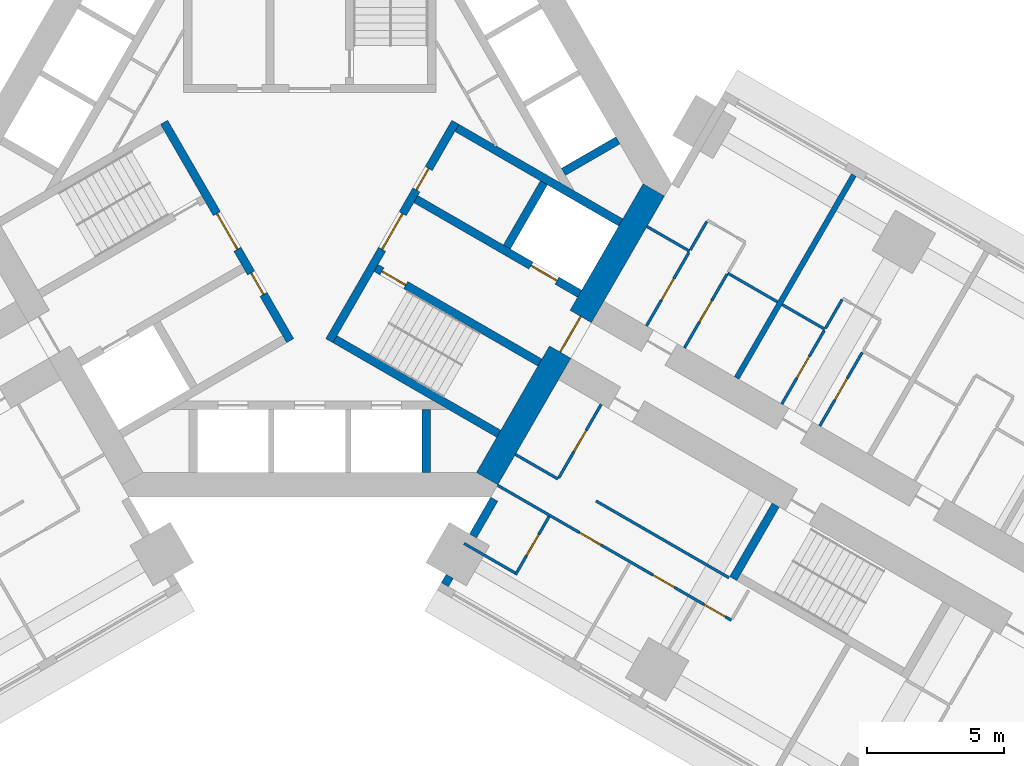
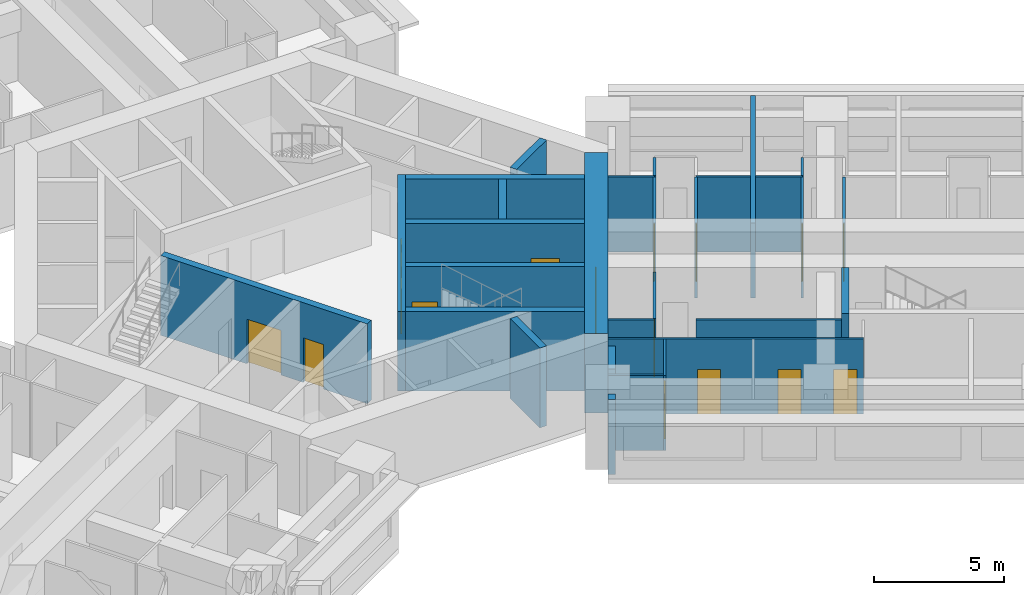
# One storey, part 7 of 16: 29 walls, 16 doors, 16 openings.
"""IFC4 building model written with IfcOpenShell, lengths in metres."""

from ifc_helpers import new_model, si_unit, direction, frame, frame_2d, origin, place, context, subcontext, project, spatial, rectangle, extrude, material, layer, layer_set, type_object, element, fill, save


model = new_model("IFC4")

# Units and contexts
model_context = context("Model", 3, precision=1e-05, world=origin(), true_north=direction((0.0, 1.0)))
body_context = subcontext(model_context, "Body", "Model", "MODEL_VIEW")
ifc_project = project(units=[si_unit("LENGTHUNIT", "METRE"), si_unit("AREAUNIT", "SQUARE_METRE"), si_unit("VOLUMEUNIT", "CUBIC_METRE"), si_unit("PLANEANGLEUNIT", "RADIAN"), si_unit("MASSUNIT", "GRAM", prefix="KILO")], contexts=[model_context])

# Site, building, storey
site_placement = place(None, origin())
site = spatial("IfcSite", under=ifc_project, at=site_placement, CompositionType="ELEMENT")
building_placement = place(site_placement, origin())
building = spatial("IfcBuilding", under=site, at=building_placement, Name="Impinga Residences", CompositionType="ELEMENT")
storey_placement = place(building_placement, frame((0.0, 0.0, 37.25)))
storey = spatial("IfcBuildingStorey", under=building, at=storey_placement, Name="L08", CompositionType="ELEMENT", Elevation=37.25)

# Walls
ifc_material_1 = material(Name="Terracotta rainscreen on blockwork", Category="masonry")
ifc_layer_1 = layer(ifc_material_1, 0.300048828125)
ifc_layer_set_1 = layer_set([ifc_layer_1], Name="EW1 external wall, terracotta rainscreen on blockwork 300")
wall_type_1 = type_object("IfcWallType", Name="EW1 external wall, terracotta rainscreen on blockwork 300", PredefinedType="SOLIDWALL", material=ifc_layer_set_1)
wall_1_placement = place(storey_placement, frame((4.929931640625, -14.624267578125, 0.0), z_axis=(0.0, 0.0, 1.0), x_axis=(0.49996389635, 0.866046247233, 0.0)))
element("IfcWall", 1, at=wall_1_placement, inside=storey, type_object=wall_type_1, Name="External wall EW1 L08", PredefinedType="SOLIDWALL", context=body_context, shape_type="SweptSolid", body=[
    extrude(rectangle(XDim=0.35009765625, YDim=0.300048828125, at=frame_2d((0.175048828125, 0.0))), origin(), (0.0, 0.0, 1.0), 3.530029296875),
])
wall_2_placement = place(storey_placement, frame((5.954833984375, -12.848876953125, 0.0), z_axis=(0.0, 0.0, 1.0), x_axis=(0.500086022567, 0.865975732936, 0.0)))
element("IfcWall", 2, at=wall_2_placement, inside=storey, type_object=wall_type_1, Name="External wall EW1 L08", PredefinedType="SOLIDWALL", context=body_context, shape_type="SweptSolid", body=[
    extrude(rectangle(XDim=1.550048828125, YDim=0.300048828125, at=frame_2d((0.77490234375, 0.0))), origin(), (0.0, 0.0, 1.0), 3.530029296875),
])
ifc_material_2 = material(Name="Gypsum board on steel studs", Category="steel")
ifc_layer_2 = layer(ifc_material_2, 0.10009765625)
ifc_layer_set_2 = layer_set([ifc_layer_2], Name="Gypsum board on steel studs")
wall_type_2 = type_object("IfcWallType", Name="IP1 partition 100", PredefinedType="PARTITIONING", material=ifc_layer_set_2)
wall_3_placement = place(storey_placement, frame((12.300048828125, -1.558837890625, 0.0), z_axis=(0.0, 0.0, 1.0), x_axis=(0.866047807691, -0.499961193289, 0.0)))
element("IfcWall", 3, at=wall_3_placement, inside=storey, type_object=wall_type_2, Name="Partition L08-EA1:DIV0", PredefinedType="PARTITIONING", context=body_context, shape_type="SweptSolid", body=[
    extrude(rectangle(XDim=1.800048828125, YDim=0.10009765625, at=frame_2d((0.89990234375, 0.0))), origin(), (0.0, 0.0, 1.0), 3.530029296875),
])
wall_4_placement = place(storey_placement, frame((15.244384765625, -3.2587890625, 0.0), z_axis=(0.0, 0.0, 1.0), x_axis=(0.866038466041, -0.499977374825, 0.0)))
element("IfcWall", 4, at=wall_4_placement, inside=storey, type_object=wall_type_2, Name="Partition L08-EA1:DIV1", PredefinedType="PARTITIONING", context=body_context, shape_type="SweptSolid", body=[
    extrude(rectangle(XDim=2.10009765625, YDim=0.10009765625, at=frame_2d((1.050048828125, 0.0))), origin(), (0.0, 0.0, 1.0), 3.530029296875),
])
wall_5_placement = place(storey_placement, frame((13.8837890625, -2.41552734375, 0.0), z_axis=(0.0, 0.0, 1.0), x_axis=(0.500033551112, 0.866006032174, 0.0)))
element("IfcWall", 5, at=wall_5_placement, inside=storey, type_object=wall_type_2, Name="Partition L08-EA1:SE0", PredefinedType="PARTITIONING", context=body_context, shape_type="SweptSolid", body=[
    extrude(rectangle(XDim=1.2001953125, YDim=0.10009765625, at=frame_2d((0.60009765625, 0.0))), origin(), (0.0, 0.0, 1.0), 3.530029296875),
])

# Wall, opening, door
wall_6_placement = place(storey_placement, frame((12.283935546875, -5.186767578125, 0.0), z_axis=(0.0, 0.0, 1.0), x_axis=(0.499967891604, 0.866043940782, 0.0)))
wall_6 = element("IfcWall", 6, at=wall_6_placement, inside=storey, type_object=wall_type_2, Name="Partition L08-EA1:IB1", PredefinedType="PARTITIONING", context=body_context, shape_type="SweptSolid", body=[
    extrude(rectangle(XDim=3.099853515625, YDim=0.10009765625, at=frame_2d((1.5498046875, 0.0))), origin(), (0.0, 0.0, 1.0), 3.530029296875),
])
opening_1_placement = place(wall_6_placement, frame((1.10009765625, 0.0, 0.0)))
opening_1 = element("IfcOpeningElement", 7, at=opening_1_placement, cuts=wall_6, Name="Opening D2", PredefinedType="OPENING", context=body_context, shape_type="SweptSolid", body=[
    extrude(rectangle(XDim=0.89990234375, YDim=2.10009765625, at=frame_2d((0.449951171875, 1.050048828125))), frame((0.0, 0.06005859375, 0.0), z_axis=(0.0, -1.0, 0.0), x_axis=(1.0, 0.0, 0.0)), (0.0, 0.0, 1.0), 0.1201171875),
])
ifc_material_3 = material(Name="Timber door set", Category="wood")
door_type_1 = type_object("IfcDoorType", Name="D2 internal door 900x2100", OperationType="SINGLE_SWING_LEFT", PredefinedType="DOOR", material=ifc_material_3)
door_1_placement = place(opening_1_placement, origin())
door_1 = element("IfcDoor", 8, at=door_1_placement, inside=storey, type_object=door_type_1, Name="Apartment L08-EA1 bathroom door", OperationType="SINGLE_SWING_LEFT", OverallHeight=2.10009765625, OverallWidth=0.89990234375, PredefinedType="DOOR", context=body_context, shape_type="SweptSolid", body=[
    extrude(rectangle(XDim=0.89990234375, YDim=2.10009765625, at=frame_2d((0.449951171875, 1.050048828125))), frame((0.0, 0.02490234375, 0.0), z_axis=(0.0, -1.0, 0.0), x_axis=(1.0, 0.0, 0.0)), (0.0, 0.0, 1.0), 0.050048828125),
])
fill(opening_1, door_1)

wall_7_placement = place(storey_placement, frame((13.66943359375, -5.98681640625, 0.0), z_axis=(0.0, 0.0, 1.0), x_axis=(0.500026960575, 0.86600983753, 0.0)))
wall_7 = element("IfcWall", 9, at=wall_7_placement, inside=storey, type_object=wall_type_2, Name="Partition L08-EA1:IB2", PredefinedType="PARTITIONING", context=body_context, shape_type="SweptSolid", body=[
    extrude(rectangle(XDim=3.099853515625, YDim=0.10009765625, at=frame_2d((1.5498046875, 0.0))), origin(), (0.0, 0.0, 1.0), 3.530029296875),
])
opening_2_placement = place(wall_7_placement, frame((1.10009765625, 0.0, 0.0)))
opening_2 = element("IfcOpeningElement", 10, at=opening_2_placement, cuts=wall_7, Name="Opening D2", PredefinedType="OPENING", context=body_context, shape_type="SweptSolid", body=[
    extrude(rectangle(XDim=0.89990234375, YDim=2.10009765625, at=frame_2d((0.449951171875, 1.050048828125))), frame((0.0, 0.06005859375, 0.0), z_axis=(0.0, -1.0, 0.0), x_axis=(1.0, 0.0, 0.0)), (0.0, 0.0, 1.0), 0.1201171875),
])
door_2_placement = place(opening_2_placement, origin())
door_2 = element("IfcDoor", 11, at=door_2_placement, inside=storey, type_object=door_type_1, Name="Apartment L08-EA1 WC door", OperationType="SINGLE_SWING_LEFT", OverallHeight=2.10009765625, OverallWidth=0.89990234375, PredefinedType="DOOR", context=body_context, shape_type="SweptSolid", body=[
    extrude(rectangle(XDim=0.89990234375, YDim=2.10009765625, at=frame_2d((0.449951171875, 1.050048828125))), frame((0.0, 0.02490234375, 0.0), z_axis=(0.0, -1.0, 0.0), x_axis=(1.0, 0.0, 0.0)), (0.0, 0.0, 1.0), 0.050048828125),
])
fill(opening_2, door_2)

# Walls
wall_8_placement = place(storey_placement, frame((17.236328125, -4.408935546875, 0.0), z_axis=(0.0, 0.0, 1.0), x_axis=(0.866047807691, -0.499961193289, 0.0)))
element("IfcWall", 12, at=wall_8_placement, inside=storey, type_object=wall_type_2, Name="Partition L08-EA2:DIV0", PredefinedType="PARTITIONING", context=body_context, shape_type="SweptSolid", body=[
    extrude(rectangle(XDim=1.800048828125, YDim=0.10009765625, at=frame_2d((0.89990234375, 0.0))), origin(), (0.0, 0.0, 1.0), 3.530029296875),
])
wall_9_placement = place(storey_placement, frame((18.8203125, -5.265625, 0.0), z_axis=(0.0, 0.0, 1.0), x_axis=(0.499880961361, 0.866094119867, 0.0)))
element("IfcWall", 13, at=wall_9_placement, inside=storey, type_object=wall_type_2, Name="Partition L08-EA2:SE0", PredefinedType="PARTITIONING", context=body_context, shape_type="SweptSolid", body=[
    extrude(rectangle(XDim=1.199951171875, YDim=0.10009765625, at=frame_2d((0.60009765625, 0.0))), origin(), (0.0, 0.0, 1.0), 3.530029296875),
])

# Wall, opening, door
wall_10_placement = place(storey_placement, frame((17.22021484375, -8.036865234375, 0.0), z_axis=(0.0, 0.0, 1.0), x_axis=(0.49999285859, 0.86602952684, 0.0)))
wall_10 = element("IfcWall", 14, at=wall_10_placement, inside=storey, type_object=wall_type_2, Name="Partition L08-EA2:IB1", PredefinedType="PARTITIONING", context=body_context, shape_type="SweptSolid", body=[
    extrude(rectangle(XDim=3.10009765625, YDim=0.10009765625, at=frame_2d((1.550048828125, 0.0))), origin(), (0.0, 0.0, 1.0), 3.530029296875),
])
opening_3_placement = place(wall_10_placement, frame((1.10009765625, 0.0, 0.0)))
opening_3 = element("IfcOpeningElement", 15, at=opening_3_placement, cuts=wall_10, Name="Opening D2", PredefinedType="OPENING", context=body_context, shape_type="SweptSolid", body=[
    extrude(rectangle(XDim=0.89990234375, YDim=2.10009765625, at=frame_2d((0.449951171875, 1.050048828125))), frame((0.0, 0.06005859375, 0.0), z_axis=(0.0, -1.0, 0.0), x_axis=(1.0, 0.0, 0.0)), (0.0, 0.0, 1.0), 0.1201171875),
])
door_3_placement = place(opening_3_placement, origin())
door_3 = element("IfcDoor", 16, at=door_3_placement, inside=storey, type_object=door_type_1, Name="Apartment L08-EA2 bathroom door", OperationType="SINGLE_SWING_LEFT", OverallHeight=2.10009765625, OverallWidth=0.89990234375, PredefinedType="DOOR", context=body_context, shape_type="SweptSolid", body=[
    extrude(rectangle(XDim=0.89990234375, YDim=2.10009765625, at=frame_2d((0.449951171875, 1.050048828125))), frame((0.0, 0.02490234375, 0.0), z_axis=(0.0, -1.0, 0.0), x_axis=(1.0, 0.0, 0.0)), (0.0, 0.0, 1.0), 0.050048828125),
])
fill(opening_3, door_3)

wall_11_placement = place(storey_placement, frame((18.605712890625, -8.8369140625, 0.0), z_axis=(0.0, 0.0, 1.0), x_axis=(0.49999285859, 0.86602952684, 0.0)))
wall_11 = element("IfcWall", 17, at=wall_11_placement, inside=storey, type_object=wall_type_2, Name="Partition L08-EA2:IB2", PredefinedType="PARTITIONING", context=body_context, shape_type="SweptSolid", body=[
    extrude(rectangle(XDim=3.10009765625, YDim=0.10009765625, at=frame_2d((1.550048828125, 0.0))), origin(), (0.0, 0.0, 1.0), 3.530029296875),
])
opening_4_placement = place(wall_11_placement, frame((1.10009765625, 0.0, 0.0)))
opening_4 = element("IfcOpeningElement", 18, at=opening_4_placement, cuts=wall_11, Name="Opening D2", PredefinedType="OPENING", context=body_context, shape_type="SweptSolid", body=[
    extrude(rectangle(XDim=0.89990234375, YDim=2.10009765625, at=frame_2d((0.449951171875, 1.050048828125))), frame((0.0, 0.06005859375, 0.0), z_axis=(0.0, -1.0, 0.0), x_axis=(1.0, 0.0, 0.0)), (0.0, 0.0, 1.0), 0.1201171875),
])
door_4_placement = place(opening_4_placement, origin())
door_4 = element("IfcDoor", 19, at=door_4_placement, inside=storey, type_object=door_type_1, Name="Apartment L08-EA2 WC door", OperationType="SINGLE_SWING_LEFT", OverallHeight=2.10009765625, OverallWidth=0.89990234375, PredefinedType="DOOR", context=body_context, shape_type="SweptSolid", body=[
    extrude(rectangle(XDim=0.89990234375, YDim=2.10009765625, at=frame_2d((0.449951171875, 1.050048828125))), frame((0.0, 0.02490234375, 0.0), z_axis=(0.0, -1.0, 0.0), x_axis=(1.0, 0.0, 0.0)), (0.0, 0.0, 1.0), 0.050048828125),
])
fill(opening_4, door_4)

# Walls
wall_12_placement = place(storey_placement, frame((7.5, -9.872802734375, 0.0), z_axis=(0.0, 0.0, 1.0), x_axis=(0.866047807691, -0.499961193289, 0.0)))
element("IfcWall", 20, at=wall_12_placement, inside=storey, type_object=wall_type_2, Name="Partition L08-EF1:DIV0", PredefinedType="PARTITIONING", context=body_context, shape_type="SweptSolid", body=[
    extrude(rectangle(XDim=1.800048828125, YDim=0.10009765625, at=frame_2d((0.89990234375, 0.0))), origin(), (0.0, 0.0, 1.0), 3.530029296875),
])
wall_13_placement = place(storey_placement, frame((10.444580078125, -11.57275390625, 0.0), z_axis=(0.0, 0.0, 1.0), x_axis=(0.866015695474, -0.500016814911, 0.0)))
element("IfcWall", 21, at=wall_13_placement, inside=storey, type_object=wall_type_2, Name="Partition L08-EF1:DIV1", PredefinedType="PARTITIONING", context=body_context, shape_type="SweptSolid", body=[
    extrude(rectangle(XDim=5.599853515625, YDim=0.10009765625, at=frame_2d((2.7998046875, 0.0))), origin(), (0.0, 0.0, 1.0), 3.530029296875),
])

# Wall, openings, doors
wall_14_placement = place(storey_placement, frame((6.85009765625, -10.99853515625, 0.0), z_axis=(0.0, 0.0, 1.0), x_axis=(0.866021308241, -0.500007093622, 0.0)))
wall_14 = element("IfcWall", 22, at=wall_14_placement, inside=storey, type_object=wall_type_2, Name="Partition L08-EF1:STRIP", PredefinedType="PARTITIONING", context=body_context, shape_type="SweptSolid", body=[
    extrude(rectangle(XDim=9.849853515625, YDim=0.10009765625, at=frame_2d((4.9248046875, 0.0))), origin(), (0.0, 0.0, 1.0), 3.530029296875),
])
opening_5_placement = place(wall_14_placement, frame((3.449951171875, 0.0, 0.0)))
opening_5 = element("IfcOpeningElement", 23, at=opening_5_placement, cuts=wall_14, Name="Opening D2", PredefinedType="OPENING", context=body_context, shape_type="SweptSolid", body=[
    extrude(rectangle(XDim=0.89990234375, YDim=2.10009765625, at=frame_2d((0.449951171875, 1.050048828125))), frame((0.0, 0.06005859375, 0.0), z_axis=(0.0, -1.0, 0.0), x_axis=(1.0, 0.0, 0.0)), (0.0, 0.0, 1.0), 0.1201171875),
])
opening_6_placement = place(wall_14_placement, frame((6.550048828125, 0.0, 0.0)))
opening_6 = element("IfcOpeningElement", 24, at=opening_6_placement, cuts=wall_14, Name="Opening D2", PredefinedType="OPENING", context=body_context, shape_type="SweptSolid", body=[
    extrude(rectangle(XDim=0.89990234375, YDim=2.10009765625, at=frame_2d((0.449951171875, 1.050048828125))), frame((0.0, 0.06005859375, 0.0), z_axis=(0.0, -1.0, 0.0), x_axis=(1.0, 0.0, 0.0)), (0.0, 0.0, 1.0), 0.1201171875),
])
opening_7_placement = place(wall_14_placement, frame((8.699951171875, 0.0, 0.0)))
opening_7 = element("IfcOpeningElement", 25, at=opening_7_placement, cuts=wall_14, Name="Opening D2", PredefinedType="OPENING", context=body_context, shape_type="SweptSolid", body=[
    extrude(rectangle(XDim=0.89990234375, YDim=2.10009765625, at=frame_2d((0.449951171875, 1.050048828125))), frame((0.0, 0.06005859375, 0.0), z_axis=(0.0, -1.0, 0.0), x_axis=(1.0, 0.0, 0.0)), (0.0, 0.0, 1.0), 0.1201171875),
])
door_5_placement = place(opening_5_placement, origin())
door_5 = element("IfcDoor", 26, at=door_5_placement, inside=storey, type_object=door_type_1, Name="Apartment L08-EF1 room door", OperationType="SINGLE_SWING_LEFT", OverallHeight=2.10009765625, OverallWidth=0.89990234375, PredefinedType="DOOR", context=body_context, shape_type="SweptSolid", body=[
    extrude(rectangle(XDim=0.89990234375, YDim=2.10009765625, at=frame_2d((0.449951171875, 1.050048828125))), frame((0.0, 0.02490234375, 0.0), z_axis=(0.0, -1.0, 0.0), x_axis=(1.0, 0.0, 0.0)), (0.0, 0.0, 1.0), 0.050048828125),
])
fill(opening_5, door_5)
door_6_placement = place(opening_6_placement, origin())
door_6 = element("IfcDoor", 27, at=door_6_placement, inside=storey, type_object=door_type_1, Name="Apartment L08-EF1 room door", OperationType="SINGLE_SWING_RIGHT", OverallHeight=2.10009765625, OverallWidth=0.89990234375, PredefinedType="DOOR", context=body_context, shape_type="SweptSolid", body=[
    extrude(rectangle(XDim=0.89990234375, YDim=2.10009765625, at=frame_2d((0.449951171875, 1.050048828125))), frame((0.0, 0.02490234375, 0.0), z_axis=(0.0, -1.0, 0.0), x_axis=(1.0, 0.0, 0.0)), (0.0, 0.0, 1.0), 0.050048828125),
])
fill(opening_6, door_6)
door_7_placement = place(opening_7_placement, origin())
door_7 = element("IfcDoor", 28, at=door_7_placement, inside=storey, type_object=door_type_1, Name="Apartment L08-EF1 room door", OperationType="SINGLE_SWING_RIGHT", OverallHeight=2.10009765625, OverallWidth=0.89990234375, PredefinedType="DOOR", context=body_context, shape_type="SweptSolid", body=[
    extrude(rectangle(XDim=0.89990234375, YDim=2.10009765625, at=frame_2d((0.449951171875, 1.050048828125))), frame((0.0, 0.02490234375, 0.0), z_axis=(0.0, -1.0, 0.0), x_axis=(1.0, 0.0, 0.0)), (0.0, 0.0, 1.0), 0.050048828125),
])
fill(opening_7, door_7)

# Wall, opening, door
wall_15_placement = place(storey_placement, frame((10.6337890625, -8.044677734375, 0.0), z_axis=(0.0, 0.0, 1.0), x_axis=(-0.49999285859, -0.86602952684, 0.0)))
wall_15 = element("IfcWall", 29, at=wall_15_placement, inside=storey, type_object=wall_type_2, Name="Partition L08-EF1:IB1", PredefinedType="PARTITIONING", context=body_context, shape_type="SweptSolid", body=[
    extrude(rectangle(XDim=3.10009765625, YDim=0.10009765625, at=frame_2d((1.550048828125, 0.0))), origin(), (0.0, 0.0, 1.0), 3.530029296875),
])
opening_8_placement = place(wall_15_placement, frame((1.10009765625, 0.0, 0.0)))
opening_8 = element("IfcOpeningElement", 30, at=opening_8_placement, cuts=wall_15, Name="Opening D2", PredefinedType="OPENING", context=body_context, shape_type="SweptSolid", body=[
    extrude(rectangle(XDim=0.89990234375, YDim=2.10009765625, at=frame_2d((0.449951171875, 1.050048828125))), frame((0.0, 0.06005859375, 0.0), z_axis=(0.0, -1.0, 0.0), x_axis=(1.0, 0.0, 0.0)), (0.0, 0.0, 1.0), 0.1201171875),
])
door_8_placement = place(opening_8_placement, origin())
door_8 = element("IfcDoor", 31, at=door_8_placement, inside=storey, type_object=door_type_1, Name="Apartment L08-EF1 bathroom door", OperationType="SINGLE_SWING_LEFT", OverallHeight=2.10009765625, OverallWidth=0.89990234375, PredefinedType="DOOR", context=body_context, shape_type="SweptSolid", body=[
    extrude(rectangle(XDim=0.89990234375, YDim=2.10009765625, at=frame_2d((0.449951171875, 1.050048828125))), frame((0.0, 0.02490234375, 0.0), z_axis=(0.0, -1.0, 0.0), x_axis=(1.0, 0.0, 0.0)), (0.0, 0.0, 1.0), 0.050048828125),
])
fill(opening_8, door_8)

wall_16_placement = place(storey_placement, frame((8.730224609375, -12.141845703125, 0.0), z_axis=(0.0, 0.0, 1.0), x_axis=(-0.499943856944, -0.866057815567, 0.0)))
wall_16 = element("IfcWall", 32, at=wall_16_placement, inside=storey, type_object=wall_type_2, Name="Partition L08-EF1:EN1", PredefinedType="PARTITIONING", context=body_context, shape_type="SweptSolid", body=[
    extrude(rectangle(XDim=2.449951171875, YDim=0.10009765625, at=frame_2d((1.22509765625, 0.0))), origin(), (0.0, 0.0, 1.0), 3.530029296875),
])
opening_9_placement = place(wall_16_placement, frame((0.75, 0.0, 0.0)))
opening_9 = element("IfcOpeningElement", 33, at=opening_9_placement, cuts=wall_16, Name="Opening D2", PredefinedType="OPENING", context=body_context, shape_type="SweptSolid", body=[
    extrude(rectangle(XDim=0.89990234375, YDim=2.10009765625, at=frame_2d((0.449951171875, 1.050048828125))), frame((0.0, 0.06005859375, 0.0), z_axis=(0.0, -1.0, 0.0), x_axis=(1.0, 0.0, 0.0)), (0.0, 0.0, 1.0), 0.1201171875),
])
door_9_placement = place(opening_9_placement, origin())
door_9 = element("IfcDoor", 34, at=door_9_placement, inside=storey, type_object=door_type_1, Name="Apartment L08-EF1 en-suite door", OperationType="SINGLE_SWING_LEFT", OverallHeight=2.10009765625, OverallWidth=0.89990234375, PredefinedType="DOOR", context=body_context, shape_type="SweptSolid", body=[
    extrude(rectangle(XDim=0.89990234375, YDim=2.10009765625, at=frame_2d((0.449951171875, 1.050048828125))), frame((0.0, 0.02490234375, 0.0), z_axis=(0.0, -1.0, 0.0), x_axis=(1.0, 0.0, 0.0)), (0.0, 0.0, 1.0), 0.050048828125),
])
fill(opening_9, door_9)

# Walls
wall_17_placement = place(storey_placement, frame((5.625, -13.120361328125, 0.0), z_axis=(0.0, 0.0, 1.0), x_axis=(0.866047553582, -0.499961633463, 0.0)))
element("IfcWall", 35, at=wall_17_placement, inside=storey, type_object=wall_type_2, Name="Partition L08-EF1:EN2", PredefinedType="PARTITIONING", context=body_context, shape_type="SweptSolid", body=[
    extrude(rectangle(XDim=2.150146484375, YDim=0.10009765625, at=frame_2d((1.0751953125, 0.0))), origin(), (0.0, 0.0, 1.0), 3.530029296875),
])
ifc_material_4 = material(Name="Concrete blockwork", Category="masonry")
ifc_layer_3 = layer(ifc_material_4, 0.199951171875)
ifc_layer_set_3 = layer_set([ifc_layer_3], Name="PW1 party wall between apartments 200")
wall_type_3 = type_object("IfcWallType", Name="PW1 party wall between apartments 200", PredefinedType="SOLIDWALL", material=ifc_layer_set_3)
wall_18_placement = place(storey_placement, frame((15.57470703125, -7.0869140625, 0.0), z_axis=(0.0, 0.0, 1.0), x_axis=(0.500011643316, 0.866018681408, 0.0)))
element("IfcWall", 36, at=wall_18_placement, inside=storey, type_object=wall_type_3, Name="Party wall between apartments L08-EA1:PARTY", PredefinedType="SOLIDWALL", context=body_context, shape_type="SweptSolid", body=[
    extrude(rectangle(XDim=8.550048828125, YDim=0.199951171875, at=frame_2d((4.27490234375, 0.0))), origin(), (0.0, 0.0, 1.0), 3.530029296875),
])
ifc_material_5 = material(Name="Concrete C60/75", Category="concrete")
ifc_layer_4 = layer(ifc_material_5, 0.300048828125)
ifc_layer_set_4 = layer_set([ifc_layer_4], Name="Concrete C60/75")
wall_type_4 = type_object("IfcWallType", Name="SE1 wing stair enclosure wall 300", PredefinedType="SOLIDWALL", material=ifc_layer_set_4)
wall_19_placement = place(storey_placement, frame((16.9990234375, -11.7197265625, 0.0), z_axis=(0.0, 0.0, 1.0), x_axis=(-0.499967891604, -0.866043940782, 0.0)))
element("IfcWall", 37, at=wall_19_placement, inside=storey, type_object=wall_type_4, Name="Stair enclosure wall SE1 E END0 L08", PredefinedType="SOLIDWALL", context=body_context, shape_type="SweptSolid", body=[
    extrude(rectangle(XDim=3.099853515625, YDim=0.300048828125, at=frame_2d((1.5498046875, 0.0))), origin(), (0.0, 0.0, 1.0), 3.75),
])

# Wall, opening, door
ifc_material_6 = material(Name="Concrete C70/85", Category="concrete")
ifc_layer_5 = layer(ifc_material_6, 0.89990234375)
ifc_layer_set_5 = layer_set([ifc_layer_5], Name="Concrete C70/85")
wall_type_5 = type_object("IfcWallType", Name="SW1 core wall 900", PredefinedType="SHEAR", material=ifc_layer_set_5)
wall_20_placement = place(storey_placement, frame((12.550537109375, -0.22509765625, 0.0), z_axis=(0.0, 0.0, 1.0), x_axis=(-0.499997612506, -0.8660267822, 0.0)))
wall_20 = element("IfcWall", 38, at=wall_20_placement, inside=storey, type_object=wall_type_5, Name="Core wall SW1 E:FACE L08", PredefinedType="SHEAR", context=body_context, shape_type="SweptSolid", body=[
    extrude(rectangle(XDim=12.16064453125, YDim=0.89990234375, at=frame_2d((6.080322265625, 0.0))), origin(), (0.0, 0.0, 1.0), 3.75),
])
opening_10_placement = place(wall_20_placement, frame((5.330322265625, 0.0, 0.0)))
opening_10 = element("IfcOpeningElement", 39, at=opening_10_placement, cuts=wall_20, Name="Opening D4", PredefinedType="OPENING", context=body_context, shape_type="SweptSolid", body=[
    extrude(rectangle(XDim=1.5, YDim=2.10009765625, at=frame_2d((0.75, 1.050048828125))), frame((0.0, 0.4599609375, 0.0), z_axis=(0.0, -1.0, 0.0), x_axis=(1.0, 0.0, 0.0)), (0.0, 0.0, 1.0), 0.919921875),
])
door_type_2 = type_object("IfcDoorType", Name="D4 lobby door pair 1500x2100", OperationType="DOUBLE_DOOR_DOUBLE_SWING", PredefinedType="DOOR", material=ifc_material_3)
door_10_placement = place(opening_10_placement, origin())
door_10 = element("IfcDoor", 40, at=door_10_placement, inside=storey, type_object=door_type_2, Name="Lobby door E", OperationType="DOUBLE_DOOR_DOUBLE_SWING", OverallHeight=2.10009765625, OverallWidth=1.5, PredefinedType="DOOR", context=body_context, shape_type="SweptSolid", body=[
    extrude(rectangle(XDim=1.5, YDim=2.10009765625, at=frame_2d((0.75, 1.050048828125))), frame((0.0, 0.02490234375, 0.0), z_axis=(0.0, -1.0, 0.0), x_axis=(1.0, 0.0, 0.0)), (0.0, 0.0, 1.0), 0.050048828125),
])
fill(opening_10, door_10)

# Wall, openings, doors
ifc_layer_6 = layer(ifc_material_6, 0.300048828125)
ifc_layer_set_6 = layer_set([ifc_layer_6], Name="Concrete C70/85")
wall_type_6 = type_object("IfcWallType", Name="SW5 core inner wall, stairs, shafts and lobbies 300", PredefinedType="SHEAR", material=ifc_layer_set_6)
wall_21_placement = place(storey_placement, frame((-0.7138671875, -5.7236328125, 0.0), z_axis=(0.0, 0.0, 1.0), x_axis=(-0.499995050369, 0.866028261437, 0.0)))
wall_21 = element("IfcWall", 41, at=wall_21_placement, inside=storey, type_object=wall_type_6, Name="Core wall SW5 W:ZONE L08", PredefinedType="SHEAR", context=body_context, shape_type="SweptSolid", body=[
    extrude(rectangle(XDim=9.19970703125, YDim=0.300048828125, at=frame_2d((4.599853515625, 0.0))), origin(), (0.0, 0.0, 1.0), 3.75),
])
opening_11_placement = place(wall_21_placement, frame((3.85009765625, 0.0, 0.0)))
opening_11 = element("IfcOpeningElement", 42, at=opening_11_placement, cuts=wall_21, Name="Opening D4", PredefinedType="OPENING", context=body_context, shape_type="SweptSolid", body=[
    extrude(rectangle(XDim=1.5, YDim=2.10009765625, at=frame_2d((0.75, 1.050048828125))), frame((0.0, 0.159912109375, 0.0), z_axis=(0.0, -1.0, 0.0), x_axis=(1.0, 0.0, 0.0)), (0.0, 0.0, 1.0), 0.320068359375),
])
opening_12_placement = place(wall_21_placement, frame((1.949951171875, 0.0, 0.0)))
opening_12 = element("IfcOpeningElement", 43, at=opening_12_placement, cuts=wall_21, Name="Opening D6", PredefinedType="OPENING", context=body_context, shape_type="SweptSolid", body=[
    extrude(rectangle(XDim=0.89990234375, YDim=2.10009765625, at=frame_2d((0.449951171875, 1.050048828125))), frame((0.0, 0.159912109375, 0.0), z_axis=(0.0, -1.0, 0.0), x_axis=(1.0, 0.0, 0.0)), (0.0, 0.0, 1.0), 0.320068359375),
])
door_11_placement = place(opening_11_placement, origin())
door_11 = element("IfcDoor", 44, at=door_11_placement, inside=storey, type_object=door_type_2, Name="Firefighting lobby door W", OperationType="DOUBLE_DOOR_DOUBLE_SWING", OverallHeight=2.10009765625, OverallWidth=1.5, PredefinedType="DOOR", context=body_context, shape_type="SweptSolid", body=[
    extrude(rectangle(XDim=1.5, YDim=2.10009765625, at=frame_2d((0.75, 1.050048828125))), frame((0.0, 0.02490234375, 0.0), z_axis=(0.0, -1.0, 0.0), x_axis=(1.0, 0.0, 0.0)), (0.0, 0.0, 1.0), 0.050048828125),
])
fill(opening_11, door_11)
door_type_3 = type_object("IfcDoorType", Name="D6 riser and store door 900x2100", OperationType="SINGLE_SWING_LEFT", PredefinedType="DOOR", material=ifc_material_3)
door_12_placement = place(opening_12_placement, origin())
door_12 = element("IfcDoor", 45, at=door_12_placement, inside=storey, type_object=door_type_3, Name="Riser door W", OperationType="SINGLE_SWING_LEFT", OverallHeight=2.10009765625, OverallWidth=0.89990234375, PredefinedType="DOOR", context=body_context, shape_type="SweptSolid", body=[
    extrude(rectangle(XDim=0.89990234375, YDim=2.10009765625, at=frame_2d((0.449951171875, 1.050048828125))), frame((0.0, 0.02490234375, 0.0), z_axis=(0.0, -1.0, 0.0), x_axis=(1.0, 0.0, 0.0)), (0.0, 0.0, 1.0), 0.050048828125),
])
fill(opening_12, door_12)

wall_22_placement = place(storey_placement, frame((5.313720703125, 2.24365234375, 0.0), z_axis=(0.0, 0.0, 1.0), x_axis=(-0.499995050369, -0.866028261437, 0.0)))
wall_22 = element("IfcWall", 46, at=wall_22_placement, inside=storey, type_object=wall_type_6, Name="Core wall SW5 E:ZONE L08", PredefinedType="SHEAR", context=body_context, shape_type="SweptSolid", body=[
    extrude(rectangle(XDim=9.19970703125, YDim=0.300048828125, at=frame_2d((4.599853515625, 0.0))), origin(), (0.0, 0.0, 1.0), 3.75),
])
opening_13_placement = place(wall_22_placement, frame((3.85009765625, 0.0, 0.0)))
opening_13 = element("IfcOpeningElement", 47, at=opening_13_placement, cuts=wall_22, Name="Opening D4", PredefinedType="OPENING", context=body_context, shape_type="SweptSolid", body=[
    extrude(rectangle(XDim=1.5, YDim=2.10009765625, at=frame_2d((0.75, 1.050048828125))), frame((0.0, 0.159912109375, 0.0), z_axis=(0.0, -1.0, 0.0), x_axis=(1.0, 0.0, 0.0)), (0.0, 0.0, 1.0), 0.320068359375),
])
opening_14_placement = place(wall_22_placement, frame((1.949951171875, 0.0, 0.0)))
opening_14 = element("IfcOpeningElement", 48, at=opening_14_placement, cuts=wall_22, Name="Opening D6", PredefinedType="OPENING", context=body_context, shape_type="SweptSolid", body=[
    extrude(rectangle(XDim=0.89990234375, YDim=2.10009765625, at=frame_2d((0.449951171875, 1.050048828125))), frame((0.0, 0.159912109375, 0.0), z_axis=(0.0, -1.0, 0.0), x_axis=(1.0, 0.0, 0.0)), (0.0, 0.0, 1.0), 0.320068359375),
])
door_13_placement = place(opening_13_placement, origin())
door_13 = element("IfcDoor", 49, at=door_13_placement, inside=storey, type_object=door_type_2, Name="Firefighting lobby door E", OperationType="DOUBLE_DOOR_DOUBLE_SWING", OverallHeight=2.10009765625, OverallWidth=1.5, PredefinedType="DOOR", context=body_context, shape_type="SweptSolid", body=[
    extrude(rectangle(XDim=1.5, YDim=2.10009765625, at=frame_2d((0.75, 1.050048828125))), frame((0.0, 0.02490234375, 0.0), z_axis=(0.0, -1.0, 0.0), x_axis=(1.0, 0.0, 0.0)), (0.0, 0.0, 1.0), 0.050048828125),
])
fill(opening_13, door_13)
door_14_placement = place(opening_14_placement, origin())
door_14 = element("IfcDoor", 50, at=door_14_placement, inside=storey, type_object=door_type_3, Name="Riser door E", OperationType="SINGLE_SWING_LEFT", OverallHeight=2.10009765625, OverallWidth=0.89990234375, PredefinedType="DOOR", context=body_context, shape_type="SweptSolid", body=[
    extrude(rectangle(XDim=0.89990234375, YDim=2.10009765625, at=frame_2d((0.449951171875, 1.050048828125))), frame((0.0, 0.02490234375, 0.0), z_axis=(0.0, -1.0, 0.0), x_axis=(1.0, 0.0, 0.0)), (0.0, 0.0, 1.0), 0.050048828125),
])
fill(opening_14, door_14)

# Wall, opening, door
wall_23_placement = place(storey_placement, frame((2.418701171875, -3.07080078125, 0.0), z_axis=(0.0, 0.0, 1.0), x_axis=(0.86602711848, -0.499997030048, 0.0)))
wall_23 = element("IfcWall", 51, at=wall_23_placement, inside=storey, type_object=wall_type_6, Name="Core wall SW5 E:ST-IN L08", PredefinedType="SHEAR", context=body_context, shape_type="SweptSolid", body=[
    extrude(rectangle(XDim=6.9013671875, YDim=0.300048828125, at=frame_2d((3.45068359375, 0.0))), origin(), (0.0, 0.0, 1.0), 3.75),
])
opening_15_placement = place(wall_23_placement, frame((0.25, 0.0, 0.0)))
opening_15 = element("IfcOpeningElement", 52, at=opening_15_placement, cuts=wall_23, Name="Opening D5", PredefinedType="OPENING", context=body_context, shape_type="SweptSolid", body=[
    extrude(rectangle(XDim=1.0, YDim=2.10009765625, at=frame_2d((0.5, 1.050048828125))), frame((0.0, 0.159912109375, 0.0), z_axis=(0.0, -1.0, 0.0), x_axis=(1.0, 0.0, 0.0)), (0.0, 0.0, 1.0), 0.320068359375),
])
door_type_4 = type_object("IfcDoorType", Name="D5 stair door 1000x2100", OperationType="SINGLE_SWING_LEFT", PredefinedType="DOOR", material=ifc_material_3)
door_15_placement = place(opening_15_placement, origin())
door_15 = element("IfcDoor", 53, at=door_15_placement, inside=storey, type_object=door_type_4, Name="Stair door E", OperationType="SINGLE_SWING_LEFT", OverallHeight=2.10009765625, OverallWidth=1.0, PredefinedType="DOOR", context=body_context, shape_type="SweptSolid", body=[
    extrude(rectangle(XDim=1.0, YDim=2.10009765625, at=frame_2d((0.5, 1.050048828125))), frame((0.0, 0.02490234375, 0.0), z_axis=(0.0, -1.0, 0.0), x_axis=(1.0, 0.0, 0.0)), (0.0, 0.0, 1.0), 0.050048828125),
])
fill(opening_15, door_15)

# Wall
wall_24_placement = place(storey_placement, frame((0.918701171875, -5.668701171875, 0.0), z_axis=(0.0, 0.0, 1.0), x_axis=(0.866011800373, -0.500023561059, 0.0)))
element("IfcWall", 54, at=wall_24_placement, inside=storey, type_object=wall_type_6, Name="Core wall SW5 E:ST-OUT L08", PredefinedType="SHEAR", context=body_context, shape_type="SweptSolid", body=[
    extrude(rectangle(XDim=6.901611328125, YDim=0.300048828125, at=frame_2d((3.45068359375, 0.0))), origin(), (0.0, 0.0, 1.0), 3.75),
])

# Wall, opening, door
wall_25_placement = place(storey_placement, frame((3.86865234375, -0.559326171875, 0.0), z_axis=(0.0, 0.0, 1.0), x_axis=(0.86602711848, -0.499997030048, 0.0)))
wall_25 = element("IfcWall", 55, at=wall_25_placement, inside=storey, type_object=wall_type_6, Name="Core wall SW5 E:FF-IN L08", PredefinedType="SHEAR", context=body_context, shape_type="SweptSolid", body=[
    extrude(rectangle(XDim=6.9013671875, YDim=0.300048828125, at=frame_2d((3.45068359375, 0.0))), origin(), (0.0, 0.0, 1.0), 3.75),
])
opening_16_placement = place(wall_25_placement, frame((4.85009765625, 0.0, 0.0)))
opening_16 = element("IfcOpeningElement", 56, at=opening_16_placement, cuts=wall_25, Name="Opening LD2", PredefinedType="OPENING", context=body_context, shape_type="SweptSolid", body=[
    extrude(rectangle(XDim=1.10009765625, YDim=2.10009765625, at=frame_2d((0.550048828125, 1.050048828125))), frame((0.0, 0.159912109375, 0.0), z_axis=(0.0, -1.0, 0.0), x_axis=(1.0, 0.0, 0.0)), (0.0, 0.0, 1.0), 0.320068359375),
])
ifc_material_7 = material(Name="Steel lift landing door", Category="steel")
door_type_5 = type_object("IfcDoorType", Name="LD2 firefighting lift landing door 1100x2100", OperationType="DOUBLE_DOOR_SLIDING", PredefinedType="DOOR", material=ifc_material_7)
door_16_placement = place(opening_16_placement, origin())
door_16 = element("IfcDoor", 57, at=door_16_placement, inside=storey, type_object=door_type_5, Name="Firefighting lift landing door F3", OperationType="DOUBLE_DOOR_SLIDING", OverallHeight=2.10009765625, OverallWidth=1.10009765625, PredefinedType="DOOR", context=body_context, shape_type="SweptSolid", body=[
    extrude(rectangle(XDim=1.10009765625, YDim=2.10009765625, at=frame_2d((0.550048828125, 1.050048828125))), frame((0.0, 0.02490234375, 0.0), z_axis=(0.0, -1.0, 0.0), x_axis=(1.0, 0.0, 0.0)), (0.0, 0.0, 1.0), 0.050048828125),
])
fill(opening_16, door_16)

# Walls
wall_26_placement = place(storey_placement, frame((5.36865234375, 2.038818359375, 0.0), z_axis=(0.0, 0.0, 1.0), x_axis=(0.86602711848, -0.499997030048, 0.0)))
element("IfcWall", 58, at=wall_26_placement, inside=storey, type_object=wall_type_6, Name="Core wall SW5 E:FF-OUT L08", PredefinedType="SHEAR", context=body_context, shape_type="SweptSolid", body=[
    extrude(rectangle(XDim=6.9013671875, YDim=0.300048828125, at=frame_2d((3.45068359375, 0.0))), origin(), (0.0, 0.0, 1.0), 3.75),
])
wall_27_placement = place(storey_placement, frame((8.541259765625, 0.033935546875, 0.0), z_axis=(0.0, 0.0, 1.0), x_axis=(-0.50000943426, -0.866019956843, 0.0)))
element("IfcWall", 59, at=wall_27_placement, inside=storey, type_object=wall_type_6, Name="Core wall SW5 E:FF-RS L08", PredefinedType="SHEAR", context=body_context, shape_type="SweptSolid", body=[
    extrude(rectangle(XDim=2.7001953125, YDim=0.300048828125, at=frame_2d((1.35009765625, 0.0))), origin(), (0.0, 0.0, 1.0), 3.75),
])
for number, where, z_axis, x_axis, name in (
    (60, (4.25, -8.2314453125, 0.0), (0.0, 0.0, 1.0), (0.0, -1.0, 0.0), "Core wall SW5 N:BANK-L L08"),
    (61, (9.253662109375, 0.43505859375, 0.0), (0.0, 0.0, 1.0), (0.866007057882, 0.500031774688, 0.0), "Core wall SW5 W:BANK-R L08"),
):
    element("IfcWall", number, at=place(storey_placement, frame(where, z_axis=z_axis, x_axis=x_axis)), inside=storey, type_object=wall_type_6, Name=name, PredefinedType="SHEAR", context=body_context, shape_type="SweptSolid", body=[
        extrude(rectangle(XDim=2.300048828125, YDim=0.300048828125, at=frame_2d((1.14990234375, 0.0))), origin(), (0.0, 0.0, 1.0), 3.75),
    ])

save(model, "model.ifc")
